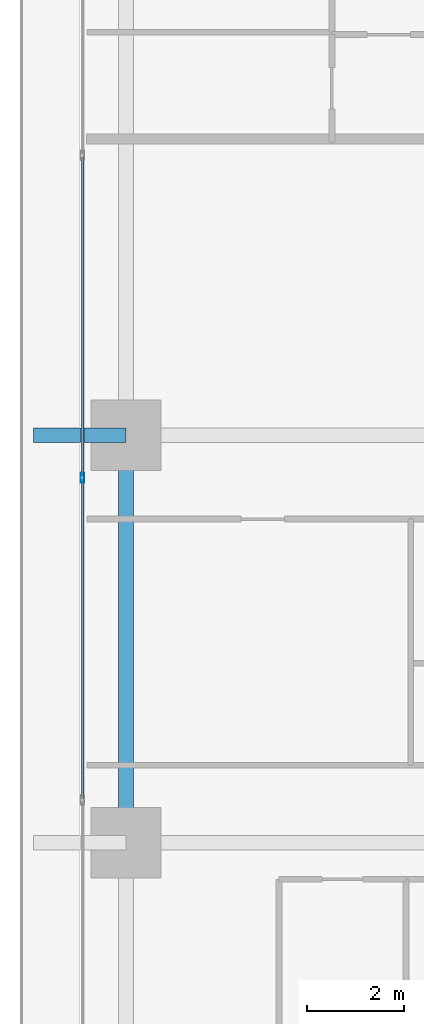
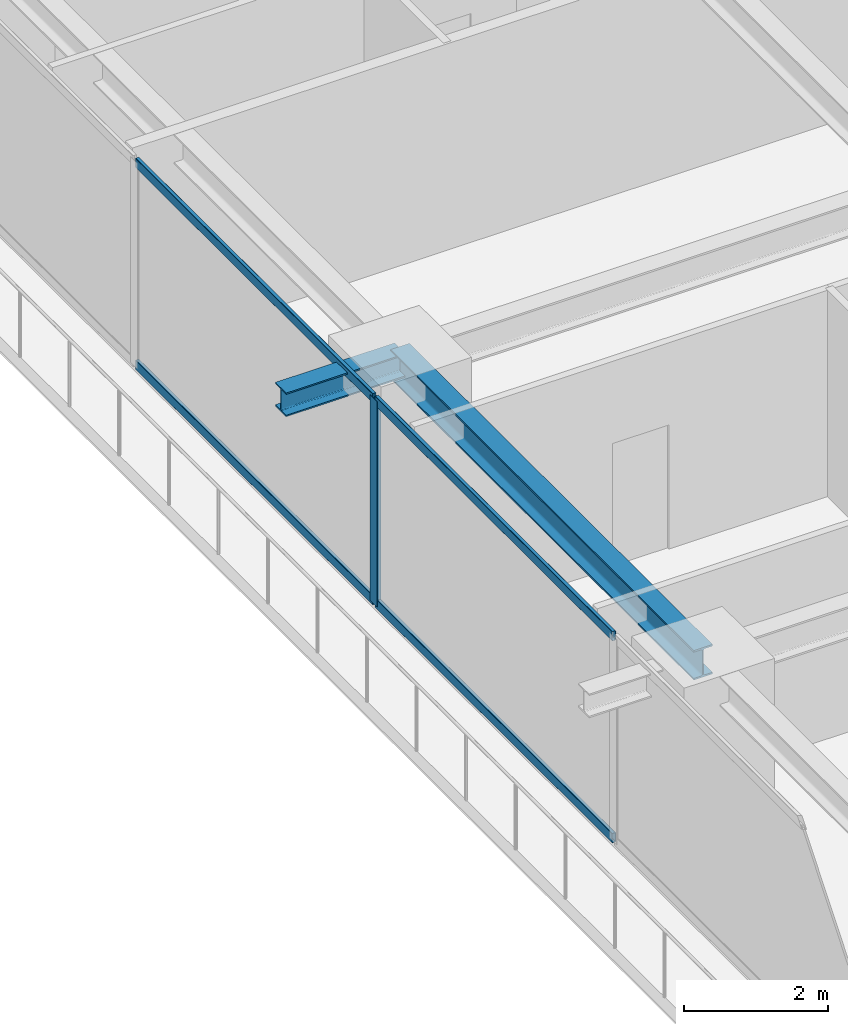
# One storey, part 8 of 37: 5 members, 2 beams, 1 element without a shape of its own.
"""IFC4 building model written with IfcOpenShell, lengths in metres."""

from ifc_helpers import new_model, si_unit, direction, frame, origin, origin_2d, place, context, subcontext, project, spatial, hollow_rectangle, i_section, extrude, source, transform, mapped, material, layer, layer_set, material_profile, profile_set, type_object, element, aggregate, save


model = new_model("IFC4")

# Units and contexts
model_context = context("Model", 3, precision=1e-05, world=origin(), true_north=direction((0.0, 1.0)))
body_context = subcontext(model_context, "Body", "Model", "MODEL_VIEW")
ifc_project = project(units=[si_unit("LENGTHUNIT", "METRE"), si_unit("AREAUNIT", "SQUARE_METRE"), si_unit("VOLUMEUNIT", "CUBIC_METRE"), si_unit("PLANEANGLEUNIT", "RADIAN"), si_unit("MASSUNIT", "GRAM", prefix="KILO")], contexts=[model_context])

# Site, building, storey
site_placement = place(None, origin())
site = spatial("IfcSite", under=ifc_project, at=site_placement, CompositionType="ELEMENT")
building_placement = place(site_placement, origin())
building = spatial("IfcBuilding", under=site, at=building_placement, Name="Serunith Strait Residences", CompositionType="ELEMENT")
storey_placement = place(building_placement, frame((0.0, 0.0, 26.699951171875)))
storey = spatial("IfcBuildingStorey", under=building, at=storey_placement, Name="L05", CompositionType="ELEMENT", Elevation=26.699951171875)

# Beams
ifc_material_1 = material(Name="Steel S355J2", Category="steel")
ifc_material_profile_1 = material_profile(ifc_material_1, i_section(OverallWidth=0.300048828125, OverallDepth=0.5, WebThickness=0.014404296875, FlangeThickness=0.028076171875, FilletRadius=0.027099609375, at=origin_2d()), Name="HEB 500")
ifc_profile_set_1 = profile_set([ifc_material_profile_1], Name="Steel S355J2")
beam_type_1 = type_object("IfcBeamType", Name="BM-HEB500", PredefinedType="BEAM", material=ifc_profile_set_1)
shared_shape_1 = source(origin(), body_context, "Body", "SweptSolid", [
    extrude(i_section(OverallWidth=0.300048828125, OverallDepth=0.5, WebThickness=0.014404296875, FlangeThickness=0.028076171875, FilletRadius=0.027099609375, at=origin_2d()), origin(), (0.0, 0.0, 1.0), 8.39990234375),
])
beam_1_placement = place(storey_placement, frame((6.89990234375, 29.39990234375, 3.237060546875), z_axis=(0.0, -1.0, 0.0), x_axis=(1.0, 0.0, 0.0)))
element("IfcBeam", 1, at=beam_1_placement, inside=storey, type_object=beam_type_1, Name="L05 Perimeter Ring Beam 14", PredefinedType="BEAM", context=body_context, shape_type="MappedRepresentation", body=[
    mapped(shared_shape_1, transform((0.0, 0.0, 0.0), scale=1.0)),
])
ifc_material_profile_2 = material_profile(ifc_material_1, i_section(OverallWidth=0.300048828125, OverallDepth=0.39990234375, WebThickness=0.013427734375, FlangeThickness=0.02392578125, FilletRadius=0.027099609375, at=origin_2d()), Name="HEB 400")
ifc_profile_set_2 = profile_set([ifc_material_profile_2], Name="Steel S355J2")
beam_type_2 = type_object("IfcBeamType", Name="BM-HEB400", PredefinedType="BEAM", material=ifc_profile_set_2)
shared_shape_2 = source(origin(), body_context, "Body", "SweptSolid", [
    extrude(i_section(OverallWidth=0.300048828125, OverallDepth=0.39990234375, WebThickness=0.013427734375, FlangeThickness=0.02392578125, FilletRadius=0.027099609375, at=origin_2d()), origin(), (0.0, 0.0, 1.0), 1.909912109375),
])
beam_2_placement = place(storey_placement, frame((6.89990234375, 29.39990234375, 3.257080078125), z_axis=(-1.0, 0.0, 0.0), x_axis=(0.0, -1.0, 0.0)))
element("IfcBeam", 2, at=beam_2_placement, inside=storey, type_object=beam_type_2, Name="L06 Cantilevered Balcony Rib TC-W3", PredefinedType="BEAM", context=body_context, shape_type="MappedRepresentation", body=[
    mapped(shared_shape_2, transform((0.0, 0.0, 0.0), scale=1.0)),
])

# Curtain wall, members
ifc_material_2 = material(Name="Pale-Champagne Anodised Aluminium", Category="aluminium")
ifc_layer = layer(ifc_material_2, 0.199951171875, Name="Pale-Champagne Anodised Aluminium")
ifc_layer_set = layer_set([ifc_layer], Name="Pale-Champagne Anodised Aluminium")
curtain_wall_type = type_object("IfcCurtainWallType", Name="CW-SYS1", PredefinedType="NOTDEFINED", material=ifc_layer_set)
curtain_wall_placement = place(storey_placement, origin())
curtain_wall = element("IfcCurtainWall", 3, at=curtain_wall_placement, inside=storey, type_object=curtain_wall_type, Name="L05 W Unitised Fritted Curtain Wall", PredefinedType="NOTDEFINED")
ifc_material_profile_3 = material_profile(ifc_material_2, hollow_rectangle(XDim=0.070068359375, YDim=0.199951171875, WallThickness=0.00390625, InnerFilletRadius=0.006103515625, OuterFilletRadius=0.010009765625, at=origin_2d()), Name="ALU 200x70x4")
ifc_profile_set_3 = profile_set([ifc_material_profile_3], Name="Pale-Champagne Anodised Aluminium")
member_type_1 = type_object("IfcMemberType", Name="CW-SYS1-MULL", PredefinedType="MULLION", material=ifc_profile_set_3)
shared_shape_3 = source(origin(), body_context, "Body", "SweptSolid", [
    extrude(hollow_rectangle(XDim=0.070068359375, YDim=0.199951171875, WallThickness=0.00390625, InnerFilletRadius=0.006103515625, OuterFilletRadius=0.010009765625, at=origin_2d()), origin(), (0.0, 0.0, 1.0), 3.47509765625),
])
member_1_placement = place(storey_placement, frame((6.0, 28.52001953125, 0.0), z_axis=(0.0, 0.0, 1.0), x_axis=(1.0, 0.0, 0.0)))
member_1 = element("IfcMember", 4, at=member_1_placement, type_object=member_type_1, Name="CW-1 mullion 3", PredefinedType="MULLION", context=body_context, shape_type="MappedRepresentation", body=[
    mapped(shared_shape_3, transform((0.0, 0.0, 0.0), scale=1.0)),
])
ifc_material_profile_4 = material_profile(ifc_material_2, hollow_rectangle(XDim=0.06005859375, YDim=0.159912109375, WallThickness=0.00341796875, InnerFilletRadius=0.00537109375, OuterFilletRadius=0.0087890625, at=origin_2d()), Name="ALU 160x60x3.5")
ifc_profile_set_4 = profile_set([ifc_material_profile_4], Name="Pale-Champagne Anodised Aluminium")
member_type_2 = type_object("IfcMemberType", Name="CW-SYS1-TRAN", PredefinedType="USERDEFINED", material=ifc_profile_set_4)
shared_shape_4 = source(origin(), body_context, "Body", "SweptSolid", [
    extrude(hollow_rectangle(XDim=0.06005859375, YDim=0.159912109375, WallThickness=0.00341796875, InnerFilletRadius=0.00537109375, OuterFilletRadius=0.0087890625, at=origin_2d()), origin(), (0.0, 0.0, 1.0), 6.570068359375),
])
member_2_placement = place(storey_placement, frame((6.0, 35.125, 0.030029296875), z_axis=(0.0, -1.0, 0.0), x_axis=(1.0, 0.0, 0.0)))
member_2 = element("IfcMember", 5, at=member_2_placement, type_object=member_type_2, Name="CW-1 transom 2.1", ObjectType="TRANSOM", PredefinedType="USERDEFINED", context=body_context, shape_type="MappedRepresentation", body=[
    mapped(shared_shape_4, transform((0.0, 0.0, 0.0), scale=1.0)),
])
member_3_placement = place(storey_placement, frame((6.0, 35.125, 3.445068359375), z_axis=(0.0, -1.0, 0.0), x_axis=(1.0, 0.0, 0.0)))
member_3 = element("IfcMember", 6, at=member_3_placement, type_object=member_type_2, Name="CW-1 transom 2.2", ObjectType="TRANSOM", PredefinedType="USERDEFINED", context=body_context, shape_type="MappedRepresentation", body=[
    mapped(shared_shape_4, transform((0.0, 0.0, 0.0), scale=1.0)),
])
member_4_placement = place(storey_placement, frame((6.0, 28.485107421875, 0.030029296875), z_axis=(0.0, -1.0, 0.0), x_axis=(1.0, 0.0, 0.0)))
member_4 = element("IfcMember", 7, at=member_4_placement, type_object=member_type_2, Name="CW-1 transom 3.1", ObjectType="TRANSOM", PredefinedType="USERDEFINED", context=body_context, shape_type="MappedRepresentation", body=[
    mapped(shared_shape_4, transform((0.0, 0.0, 0.0), scale=1.0)),
])
member_5_placement = place(storey_placement, frame((6.0, 28.485107421875, 3.445068359375), z_axis=(0.0, -1.0, 0.0), x_axis=(1.0, 0.0, 0.0)))
member_5 = element("IfcMember", 8, at=member_5_placement, type_object=member_type_2, Name="CW-1 transom 3.2", ObjectType="TRANSOM", PredefinedType="USERDEFINED", context=body_context, shape_type="MappedRepresentation", body=[
    mapped(shared_shape_4, transform((0.0, 0.0, 0.0), scale=1.0)),
])
aggregate(curtain_wall, [member_1, member_2, member_3, member_4, member_5])

save(model, "model.ifc")
